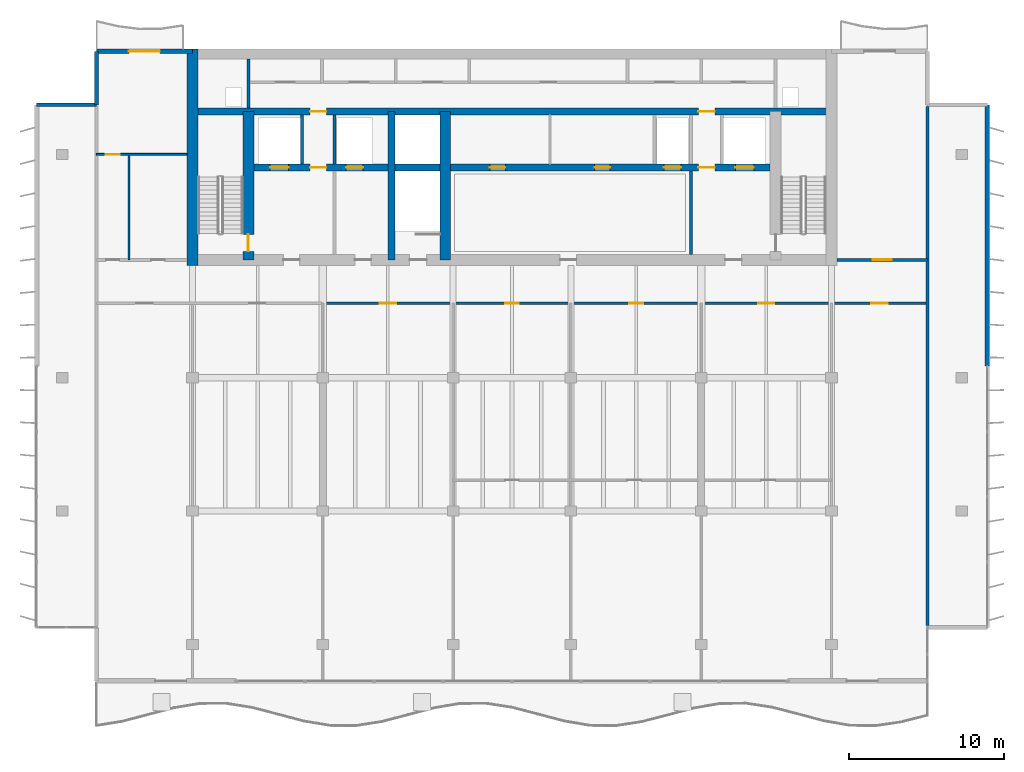
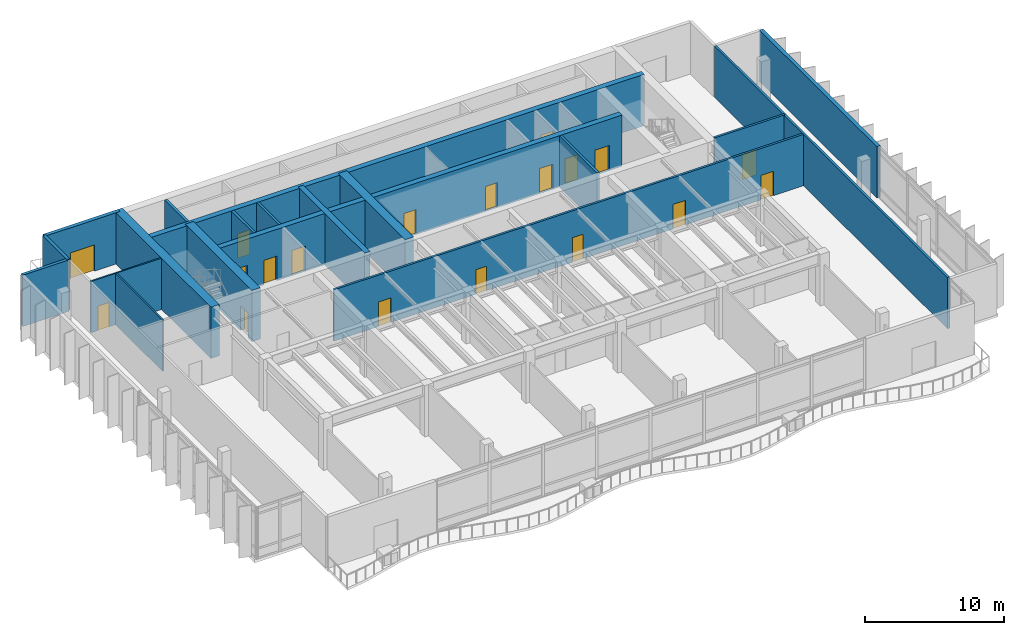
# One storey, part 7 of 14: 19 doors, 19 walls, 19 openings.
"""IFC4 building model written with IfcOpenShell, lengths in metres."""

from ifc_helpers import new_model, si_unit, direction, frame, frame_2d, origin, place, context, subcontext, project, spatial, rectangle, extrude, material, layer, layer_set, type_object, element, fill, save


model = new_model("IFC4")

# Units and contexts
model_context = context("Model", 3, precision=1e-05, world=origin(), true_north=direction((0.0, 1.0)))
body_context = subcontext(model_context, "Body", "Model", "MODEL_VIEW")
ifc_project = project(units=[si_unit("LENGTHUNIT", "METRE"), si_unit("AREAUNIT", "SQUARE_METRE"), si_unit("VOLUMEUNIT", "CUBIC_METRE"), si_unit("PLANEANGLEUNIT", "RADIAN"), si_unit("MASSUNIT", "GRAM", prefix="KILO")], contexts=[model_context])

# Site, building, storey
site_placement = place(None, origin())
site = spatial("IfcSite", under=ifc_project, at=site_placement, CompositionType="ELEMENT")
building_placement = place(site_placement, origin())
building = spatial("IfcBuilding", under=site, at=building_placement, Name="Caelmar Bay Residences", CompositionType="ELEMENT")
storey_placement = place(building_placement, frame((0.0, 0.0, 269.39990234375)))
storey = spatial("IfcBuildingStorey", under=building, at=storey_placement, Name="L76", CompositionType="ELEMENT", Elevation=269.39990234375)

# Wall
ifc_material_1 = material(Name="Concrete f'c 55 MPa (8,000 psi)", Category="concrete")
ifc_layer_1 = layer(ifc_material_1, 0.699951171875)
ifc_layer_set_1 = layer_set([ifc_layer_1], Name="Concrete f'c 55 MPa (8,000 psi)")
wall_type_1 = type_object("IfcWallType", Name="SW-COR-700", PredefinedType="SHEAR", material=ifc_layer_set_1)
wall_1_placement = place(storey_placement, frame((18.300048828125, 36.64990234375, 0.0), z_axis=(0.0, 0.0, 1.0), x_axis=(0.0, 1.0, 0.0)))
element("IfcWall", 1, at=wall_1_placement, inside=storey, type_object=wall_type_1, Name="L76 Rear Core West Shear Wall", PredefinedType="SHEAR", context=body_context, shape_type="SweptSolid", body=[
    extrude(rectangle(XDim=13.9501953125, YDim=0.699951171875, at=frame_2d((6.97509765625, 0.0))), origin(), (0.0, 0.0, 1.0), 4.5),
])

# Wall, opening, door
wall_2_placement = place(storey_placement, frame((21.89990234375, 37.0, 0.0), z_axis=(0.0, 0.0, 1.0), x_axis=(0.0, 1.0, 0.0)))
wall_2 = element("IfcWall", 2, at=wall_2_placement, inside=storey, type_object=wall_type_1, Name="L76 Core Structural Web Wall ST1E", PredefinedType="SHEAR", context=body_context, shape_type="SweptSolid", body=[
    extrude(rectangle(XDim=9.574951171875, YDim=0.699951171875, at=frame_2d((4.78759765625, 0.0))), origin(), (0.0, 0.0, 1.0), 4.5),
])
opening_1_placement = place(wall_2_placement, frame((0.550048828125, 0.0, 0.0)))
opening_1 = element("IfcOpeningElement", 3, at=opening_1_placement, cuts=wall_2, Name="Opening D-L76-107", PredefinedType="OPENING", context=body_context, shape_type="SweptSolid", body=[
    extrude(rectangle(XDim=1.10009765625, YDim=2.14990234375, at=frame_2d((0.550048828125, 1.074951171875))), frame((0.0, 0.35986328125, 0.0), z_axis=(0.0, -1.0, 0.0), x_axis=(1.0, 0.0, 0.0)), (0.0, 0.0, 1.0), 0.719970703125),
])
ifc_material_2 = material(Name="Fire-rated steel and walnut architectural door assembly", Category="steel")
ifc_layer_2 = layer(ifc_material_2, 0.050048828125)
ifc_layer_set_2 = layer_set([ifc_layer_2], Name="Fire-rated steel and walnut architectural door assembly")
door_type_1 = type_object("IfcDoorType", Name="D-STAIR-1100", OperationType="NOTDEFINED", PredefinedType="DOOR", material=ifc_layer_set_2)
door_1_placement = place(opening_1_placement, origin())
door_1 = element("IfcDoor", 4, at=door_1_placement, inside=storey, type_object=door_type_1, Name="L76 Firefighting Lobby West Door", OperationType="SINGLE_SWING_LEFT", OverallHeight=2.14990234375, OverallWidth=1.10009765625, PredefinedType="DOOR", context=body_context, shape_type="SweptSolid", body=[
    extrude(rectangle(XDim=1.10009765625, YDim=2.14990234375, at=frame_2d((0.550048828125, 1.074951171875))), frame((0.0, 0.02490234375, 0.0), z_axis=(0.0, -1.0, 0.0), x_axis=(1.0, 0.0, 0.0)), (0.0, 0.0, 1.0), 0.050048828125),
])
fill(opening_1, door_1)

# Walls
wall_3_placement = place(storey_placement, frame((34.60009765625, 37.0, 0.0), z_axis=(0.0, 0.0, 1.0), x_axis=(0.0, 1.0, 0.0)))
element("IfcWall", 5, at=wall_3_placement, inside=storey, type_object=wall_type_1, Name="L76 Core Structural Web Wall ST3E", PredefinedType="SHEAR", context=body_context, shape_type="SweptSolid", body=[
    extrude(rectangle(XDim=9.574951171875, YDim=0.699951171875, at=frame_2d((4.78759765625, 0.0))), origin(), (0.0, 0.0, 1.0), 4.5),
])
ifc_material_3 = material(Name="Concrete f'c 70 MPa (10,000 psi)", Category="concrete")
ifc_layer_3 = layer(ifc_material_3, 0.449951171875)
ifc_layer_set_3 = layer_set([ifc_layer_3], Name="Concrete f'c 70 MPa (10,000 psi)")
wall_type_2 = type_object("IfcWallType", Name="SW-WEB-450", PredefinedType="SHEAR", material=ifc_layer_set_3)
wall_4_placement = place(storey_placement, frame((31.125, 37.0, 0.0), z_axis=(0.0, 0.0, 1.0), x_axis=(0.0, 1.0, 0.0)))
element("IfcWall", 6, at=wall_4_placement, inside=storey, type_object=wall_type_2, Name="L76 Core Structural Web Wall ST3W", PredefinedType="SHEAR", context=body_context, shape_type="SweptSolid", body=[
    extrude(rectangle(XDim=9.574951171875, YDim=0.449951171875, at=frame_2d((4.78759765625, 0.0))), origin(), (0.0, 0.0, 1.0), 4.5),
])

# Wall, openings, doors
wall_5_placement = place(storey_placement, frame((22.25, 42.949951171875, 0.0), z_axis=(0.0, 0.0, 1.0), x_axis=(1.0, 0.0, 0.0)))
wall_5 = element("IfcWall", 7, at=wall_5_placement, inside=storey, type_object=wall_type_2, Name="L76 Core Structural Web Wall LFR", PredefinedType="SHEAR", context=body_context, shape_type="SweptSolid", body=[
    extrude(rectangle(XDim=33.300048828125, YDim=0.449951171875, at=frame_2d((16.64990234375, 0.0))), origin(), (0.0, 0.0, 1.0), 4.5),
])
opening_2_placement = place(wall_5_placement, frame((1.050048828125, 0.0, 0.0)))
opening_2 = element("IfcOpeningElement", 8, at=opening_2_placement, cuts=wall_5, Name="Opening LD2", PredefinedType="OPENING", context=body_context, shape_type="SweptSolid", body=[
    extrude(rectangle(XDim=1.199951171875, YDim=2.199951171875, at=frame_2d((0.60009765625, 1.10009765625))), frame((0.0, 0.23486328125, 0.0), z_axis=(0.0, -1.0, 0.0), x_axis=(1.0, 0.0, 0.0)), (0.0, 0.0, 1.0), 0.469970703125),
])
opening_3_placement = place(wall_5_placement, frame((31.050048828125, 0.0, 0.0)))
opening_3 = element("IfcOpeningElement", 9, at=opening_3_placement, cuts=wall_5, Name="Opening LD2", PredefinedType="OPENING", context=body_context, shape_type="SweptSolid", body=[
    extrude(rectangle(XDim=1.199951171875, YDim=2.199951171875, at=frame_2d((0.60009765625, 1.10009765625))), frame((0.0, 0.23486328125, 0.0), z_axis=(0.0, -1.0, 0.0), x_axis=(1.0, 0.0, 0.0)), (0.0, 0.0, 1.0), 0.469970703125),
])
opening_4_placement = place(wall_5_placement, frame((26.449951171875, 0.0, 0.0)))
opening_4 = element("IfcOpeningElement", 10, at=opening_4_placement, cuts=wall_5, Name="Opening LD1", PredefinedType="OPENING", context=body_context, shape_type="SweptSolid", body=[
    extrude(rectangle(XDim=1.10009765625, YDim=2.199951171875, at=frame_2d((0.550048828125, 1.10009765625))), frame((0.0, 0.23486328125, 0.0), z_axis=(0.0, -1.0, 0.0), x_axis=(1.0, 0.0, 0.0)), (0.0, 0.0, 1.0), 0.469970703125),
])
opening_5_placement = place(wall_5_placement, frame((5.949951171875, 0.0, 0.0)))
opening_5 = element("IfcOpeningElement", 11, at=opening_5_placement, cuts=wall_5, Name="Opening LD1", PredefinedType="OPENING", context=body_context, shape_type="SweptSolid", body=[
    extrude(rectangle(XDim=1.10009765625, YDim=2.199951171875, at=frame_2d((0.550048828125, 1.10009765625))), frame((0.0, 0.23486328125, 0.0), z_axis=(0.0, -1.0, 0.0), x_axis=(1.0, 0.0, 0.0)), (0.0, 0.0, 1.0), 0.469970703125),
])
opening_6_placement = place(wall_5_placement, frame((3.625, 0.0, 0.0)))
opening_6 = element("IfcOpeningElement", 12, at=opening_6_placement, cuts=wall_5, Name="Opening D-L76-108", PredefinedType="OPENING", context=body_context, shape_type="SweptSolid", body=[
    extrude(rectangle(XDim=1.050048828125, YDim=2.14990234375, at=frame_2d((0.52490234375, 1.074951171875))), frame((0.0, 0.23486328125, 0.0), z_axis=(0.0, -1.0, 0.0), x_axis=(1.0, 0.0, 0.0)), (0.0, 0.0, 1.0), 0.469970703125),
])
opening_7_placement = place(wall_5_placement, frame((28.675048828125, 0.0, 0.0)))
opening_7 = element("IfcOpeningElement", 13, at=opening_7_placement, cuts=wall_5, Name="Opening D-L76-111", PredefinedType="OPENING", context=body_context, shape_type="SweptSolid", body=[
    extrude(rectangle(XDim=1.050048828125, YDim=2.14990234375, at=frame_2d((0.52490234375, 1.074951171875))), frame((0.0, 0.23486328125, 0.0), z_axis=(0.0, -1.0, 0.0), x_axis=(1.0, 0.0, 0.0)), (0.0, 0.0, 1.0), 0.469970703125),
])
opening_8_placement = place(wall_5_placement, frame((15.22509765625, 0.0, 0.0)))
opening_8 = element("IfcOpeningElement", 14, at=opening_8_placement, cuts=wall_5, Name="Opening D-L76-114", PredefinedType="OPENING", context=body_context, shape_type="SweptSolid", body=[
    extrude(rectangle(XDim=1.0, YDim=2.199951171875, at=frame_2d((0.5, 1.10009765625))), frame((0.0, 0.23486328125, 0.0), z_axis=(0.0, -1.0, 0.0), x_axis=(1.0, 0.0, 0.0)), (0.0, 0.0, 1.0), 0.469970703125),
])
opening_9_placement = place(wall_5_placement, frame((21.97509765625, 0.0, 0.0)))
opening_9 = element("IfcOpeningElement", 15, at=opening_9_placement, cuts=wall_5, Name="Opening D-L76-115", PredefinedType="OPENING", context=body_context, shape_type="SweptSolid", body=[
    extrude(rectangle(XDim=1.0, YDim=2.199951171875, at=frame_2d((0.5, 1.10009765625))), frame((0.0, 0.23486328125, 0.0), z_axis=(0.0, -1.0, 0.0), x_axis=(1.0, 0.0, 0.0)), (0.0, 0.0, 1.0), 0.469970703125),
])
ifc_layer_4 = layer(ifc_material_2, 0.050048828125)
ifc_layer_set_4 = layer_set([ifc_layer_4], Name="Fire-rated steel and walnut architectural door assembly")
door_type_2 = type_object("IfcDoorType", Name="D-FSAE-1050", OperationType="NOTDEFINED", PredefinedType="DOOR", material=ifc_layer_set_4)
door_2_placement = place(opening_6_placement, origin())
door_2 = element("IfcDoor", 16, at=door_2_placement, inside=storey, type_object=door_type_2, Name="L76 Firefighting Lobby West Door", OperationType="SINGLE_SWING_RIGHT", OverallHeight=2.14990234375, OverallWidth=1.050048828125, PredefinedType="DOOR", context=body_context, shape_type="SweptSolid", body=[
    extrude(rectangle(XDim=1.050048828125, YDim=2.14990234375, at=frame_2d((0.52490234375, 1.074951171875))), frame((0.0, 0.02490234375, 0.0), z_axis=(0.0, -1.0, 0.0), x_axis=(1.0, 0.0, 0.0)), (0.0, 0.0, 1.0), 0.050048828125),
])
fill(opening_6, door_2)
door_3_placement = place(opening_7_placement, origin())
door_3 = element("IfcDoor", 17, at=door_3_placement, inside=storey, type_object=door_type_2, Name="L76 Firefighting Lobby East Door", OperationType="SINGLE_SWING_LEFT", OverallHeight=2.14990234375, OverallWidth=1.050048828125, PredefinedType="DOOR", context=body_context, shape_type="SweptSolid", body=[
    extrude(rectangle(XDim=1.050048828125, YDim=2.14990234375, at=frame_2d((0.52490234375, 1.074951171875))), frame((0.0, 0.02490234375, 0.0), z_axis=(0.0, -1.0, 0.0), x_axis=(1.0, 0.0, 0.0)), (0.0, 0.0, 1.0), 0.050048828125),
])
fill(opening_7, door_3)
ifc_material_4 = material(Name="Brushed bronze stainless-steel fire-rated lift landing doors", Category="steel")
ifc_layer_5 = layer(ifc_material_4, 0.050048828125)
ifc_layer_set_5 = layer_set([ifc_layer_5], Name="Brushed bronze stainless-steel fire-rated lift landing doors")
door_type_3 = type_object("IfcDoorType", Name="D-LND-1100", OperationType="DOUBLE_DOOR_SLIDING", PredefinedType="DOOR", material=ifc_layer_set_5)
door_4_placement = place(opening_4_placement, origin())
door_4 = element("IfcDoor", 18, at=door_4_placement, inside=storey, type_object=door_type_3, Name="L76 LP6 Sliding Landing Door", OperationType="DOUBLE_DOOR_SLIDING", OverallHeight=2.199951171875, OverallWidth=1.10009765625, PredefinedType="DOOR", context=body_context, shape_type="SweptSolid", body=[
    extrude(rectangle(XDim=1.10009765625, YDim=2.199951171875, at=frame_2d((0.550048828125, 1.10009765625))), frame((0.0, 0.02490234375, 0.0), z_axis=(0.0, -1.0, 0.0), x_axis=(1.0, 0.0, 0.0)), (0.0, 0.0, 1.0), 0.050048828125),
])
fill(opening_4, door_4)
door_5_placement = place(opening_5_placement, origin())
door_5 = element("IfcDoor", 19, at=door_5_placement, inside=storey, type_object=door_type_3, Name="L76 LP7 Sliding Landing Door", OperationType="DOUBLE_DOOR_SLIDING", OverallHeight=2.199951171875, OverallWidth=1.10009765625, PredefinedType="DOOR", context=body_context, shape_type="SweptSolid", body=[
    extrude(rectangle(XDim=1.10009765625, YDim=2.199951171875, at=frame_2d((0.550048828125, 1.10009765625))), frame((0.0, 0.02490234375, 0.0), z_axis=(0.0, -1.0, 0.0), x_axis=(1.0, 0.0, 0.0)), (0.0, 0.0, 1.0), 0.050048828125),
])
fill(opening_5, door_5)
ifc_material_5 = material(Name="Brushed stainless-steel FSAE sliding landing door", Category="steel")
ifc_layer_6 = layer(ifc_material_5, 0.050048828125)
ifc_layer_set_6 = layer_set([ifc_layer_6], Name="Brushed stainless-steel FSAE sliding landing door")
door_type_4 = type_object("IfcDoorType", Name="D-LND-1200", OperationType="DOUBLE_DOOR_SLIDING", PredefinedType="DOOR", material=ifc_layer_set_6)
door_6_placement = place(opening_2_placement, origin())
door_6 = element("IfcDoor", 20, at=door_6_placement, inside=storey, type_object=door_type_4, Name="L76 LF1 Sliding Landing Door", OperationType="DOUBLE_DOOR_SLIDING", OverallHeight=2.199951171875, OverallWidth=1.199951171875, PredefinedType="DOOR", context=body_context, shape_type="SweptSolid", body=[
    extrude(rectangle(XDim=1.199951171875, YDim=2.199951171875, at=frame_2d((0.60009765625, 1.10009765625))), frame((0.0, 0.02490234375, 0.0), z_axis=(0.0, -1.0, 0.0), x_axis=(1.0, 0.0, 0.0)), (0.0, 0.0, 1.0), 0.050048828125),
])
fill(opening_2, door_6)
door_7_placement = place(opening_3_placement, origin())
door_7 = element("IfcDoor", 21, at=door_7_placement, inside=storey, type_object=door_type_4, Name="L76 LF2 Sliding Landing Door", OperationType="DOUBLE_DOOR_SLIDING", OverallHeight=2.199951171875, OverallWidth=1.199951171875, PredefinedType="DOOR", context=body_context, shape_type="SweptSolid", body=[
    extrude(rectangle(XDim=1.199951171875, YDim=2.199951171875, at=frame_2d((0.60009765625, 1.10009765625))), frame((0.0, 0.02490234375, 0.0), z_axis=(0.0, -1.0, 0.0), x_axis=(1.0, 0.0, 0.0)), (0.0, 0.0, 1.0), 0.050048828125),
])
fill(opening_3, door_7)
ifc_layer_7 = layer(ifc_material_2, 0.050048828125)
ifc_layer_set_7 = layer_set([ifc_layer_7], Name="Fire-rated steel and walnut architectural door assembly")
door_type_5 = type_object("IfcDoorType", Name="D-UNIT-1000", OperationType="NOTDEFINED", PredefinedType="DOOR", material=ifc_layer_set_7)
door_8_placement = place(opening_8_placement, origin())
door_8 = element("IfcDoor", 22, at=door_8_placement, inside=storey, type_object=door_type_5, Name="L76 Music Study Room Door", OperationType="SINGLE_SWING_RIGHT", OverallHeight=2.199951171875, OverallWidth=1.0, PredefinedType="DOOR", context=body_context, shape_type="SweptSolid", body=[
    extrude(rectangle(XDim=1.0, YDim=2.199951171875, at=frame_2d((0.5, 1.10009765625))), frame((0.0, 0.02490234375, 0.0), z_axis=(0.0, -1.0, 0.0), x_axis=(1.0, 0.0, 0.0)), (0.0, 0.0, 1.0), 0.050048828125),
])
fill(opening_8, door_8)
door_9_placement = place(opening_9_placement, origin())
door_9 = element("IfcDoor", 23, at=door_9_placement, inside=storey, type_object=door_type_5, Name="L76 Board Meeting Room Door", OperationType="SINGLE_SWING_LEFT", OverallHeight=2.199951171875, OverallWidth=1.0, PredefinedType="DOOR", context=body_context, shape_type="SweptSolid", body=[
    extrude(rectangle(XDim=1.0, YDim=2.199951171875, at=frame_2d((0.5, 1.10009765625))), frame((0.0, 0.02490234375, 0.0), z_axis=(0.0, -1.0, 0.0), x_axis=(1.0, 0.0, 0.0)), (0.0, 0.0, 1.0), 0.050048828125),
])
fill(opening_9, door_9)

wall_6_placement = place(storey_placement, frame((18.300048828125, 46.574951171875, 0.0), z_axis=(0.0, 0.0, 1.0), x_axis=(1.0, 0.0, 0.0)))
wall_6 = element("IfcWall", 24, at=wall_6_placement, inside=storey, type_object=wall_type_2, Name="L76 Core Structural Web Wall SRVS", PredefinedType="SHEAR", context=body_context, shape_type="SweptSolid", body=[
    extrude(rectangle(XDim=41.199951171875, YDim=0.449951171875, at=frame_2d((20.60009765625, 0.0))), origin(), (0.0, 0.0, 1.0), 4.5),
])
opening_10_placement = place(wall_6_placement, frame((7.574951171875, 0.0, 0.0)))
opening_10 = element("IfcOpeningElement", 25, at=opening_10_placement, cuts=wall_6, Name="Opening D-L76-116", PredefinedType="OPENING", context=body_context, shape_type="SweptSolid", body=[
    extrude(rectangle(XDim=1.050048828125, YDim=2.14990234375, at=frame_2d((0.52490234375, 1.074951171875))), frame((0.0, 0.23486328125, 0.0), z_axis=(0.0, -1.0, 0.0), x_axis=(1.0, 0.0, 0.0)), (0.0, 0.0, 1.0), 0.469970703125),
])
opening_11_placement = place(wall_6_placement, frame((32.625, 0.0, 0.0)))
opening_11 = element("IfcOpeningElement", 26, at=opening_11_placement, cuts=wall_6, Name="Opening D-L76-117", PredefinedType="OPENING", context=body_context, shape_type="SweptSolid", body=[
    extrude(rectangle(XDim=1.050048828125, YDim=2.14990234375, at=frame_2d((0.52490234375, 1.074951171875))), frame((0.0, 0.23486328125, 0.0), z_axis=(0.0, -1.0, 0.0), x_axis=(1.0, 0.0, 0.0)), (0.0, 0.0, 1.0), 0.469970703125),
])
door_10_placement = place(opening_10_placement, origin())
door_10 = element("IfcDoor", 27, at=door_10_placement, inside=storey, type_object=door_type_2, Name="L76 Core Service Corridor Door", OperationType="SINGLE_SWING_RIGHT", OverallHeight=2.14990234375, OverallWidth=1.050048828125, PredefinedType="DOOR", context=body_context, shape_type="SweptSolid", body=[
    extrude(rectangle(XDim=1.050048828125, YDim=2.14990234375, at=frame_2d((0.52490234375, 1.074951171875))), frame((0.0, 0.02490234375, 0.0), z_axis=(0.0, -1.0, 0.0), x_axis=(1.0, 0.0, 0.0)), (0.0, 0.0, 1.0), 0.050048828125),
])
fill(opening_10, door_10)
door_11_placement = place(opening_11_placement, origin())
door_11 = element("IfcDoor", 28, at=door_11_placement, inside=storey, type_object=door_type_2, Name="L76 Core Service Corridor Door", OperationType="SINGLE_SWING_LEFT", OverallHeight=2.14990234375, OverallWidth=1.050048828125, PredefinedType="DOOR", context=body_context, shape_type="SweptSolid", body=[
    extrude(rectangle(XDim=1.050048828125, YDim=2.14990234375, at=frame_2d((0.52490234375, 1.074951171875))), frame((0.0, 0.02490234375, 0.0), z_axis=(0.0, -1.0, 0.0), x_axis=(1.0, 0.0, 0.0)), (0.0, 0.0, 1.0), 0.050048828125),
])
fill(opening_11, door_11)

# Wall
ifc_material_6 = material(Name="Double-stud acoustic fire-rated gypsum partition 180 mm")
ifc_layer_8 = layer(ifc_material_6, 0.179931640625)
ifc_layer_set_8 = layer_set([ifc_layer_8], Name="Double-stud acoustic fire-rated gypsum partition 180 mm")
wall_type_3 = type_object("IfcWallType", Name="W-COR-200", PredefinedType="PARTITIONING", material=ifc_layer_set_8)
wall_7_placement = place(storey_placement, frame((65.699951171875, 13.419921875, 0.0), z_axis=(0.0, 0.0, 1.0), x_axis=(0.0, 1.0, 0.0)))
element("IfcWall", 29, at=wall_7_placement, inside=storey, type_object=wall_type_3, Name="L76 Partition Wall V026", PredefinedType="PARTITIONING", context=body_context, shape_type="SweptSolid", body=[
    extrude(rectangle(XDim=33.4599609375, YDim=0.179931640625, at=frame_2d((16.72998046875, 0.0))), origin(), (0.0, 0.0, 1.0), 4.5),
])

# Wall, openings, doors
wall_8_placement = place(storey_placement, frame((26.699951171875, 34.199951171875, 0.0), z_axis=(0.0, 0.0, 1.0), x_axis=(1.0, 0.0, 0.0)))
wall_8 = element("IfcWall", 30, at=wall_8_placement, inside=storey, type_object=wall_type_3, Name="L76 Partition Wall H030", PredefinedType="PARTITIONING", context=body_context, shape_type="SweptSolid", body=[
    extrude(rectangle(XDim=39.0, YDim=0.179931640625, at=frame_2d((19.5, 0.0))), origin(), (0.0, 0.0, 1.0), 4.5),
])
opening_12_placement = place(wall_8_placement, frame((28.074951171875, 0.0, 0.0)))
opening_12 = element("IfcOpeningElement", 31, at=opening_12_placement, cuts=wall_8, Name="Opening D-L76-124", PredefinedType="OPENING", context=body_context, shape_type="SweptSolid", body=[
    extrude(rectangle(XDim=1.050048828125, YDim=2.14990234375, at=frame_2d((0.52490234375, 1.074951171875))), frame((0.0, 0.099853515625, 0.0), z_axis=(0.0, -1.0, 0.0), x_axis=(1.0, 0.0, 0.0)), (0.0, 0.0, 1.0), 0.199951171875),
])
opening_13_placement = place(wall_8_placement, frame((35.375, 0.0, 0.0)))
opening_13 = element("IfcOpeningElement", 32, at=opening_13_placement, cuts=wall_8, Name="Opening D-L76-125", PredefinedType="OPENING", context=body_context, shape_type="SweptSolid", body=[
    extrude(rectangle(XDim=1.050048828125, YDim=2.14990234375, at=frame_2d((0.52490234375, 1.074951171875))), frame((0.0, 0.099853515625, 0.0), z_axis=(0.0, -1.0, 0.0), x_axis=(1.0, 0.0, 0.0)), (0.0, 0.0, 1.0), 0.199951171875),
])
opening_14_placement = place(wall_8_placement, frame((3.675048828125, 0.0, 0.0)))
opening_14 = element("IfcOpeningElement", 33, at=opening_14_placement, cuts=wall_8, Name="Opening D-L76-129", PredefinedType="OPENING", context=body_context, shape_type="SweptSolid", body=[
    extrude(rectangle(XDim=1.050048828125, YDim=2.14990234375, at=frame_2d((0.52490234375, 1.074951171875))), frame((0.0, 0.099853515625, 0.0), z_axis=(0.0, -1.0, 0.0), x_axis=(1.0, 0.0, 0.0)), (0.0, 0.0, 1.0), 0.199951171875),
])
opening_15_placement = place(wall_8_placement, frame((11.75, 0.0, 0.0)))
opening_15 = element("IfcOpeningElement", 34, at=opening_15_placement, cuts=wall_8, Name="Opening D-L76-130", PredefinedType="OPENING", context=body_context, shape_type="SweptSolid", body=[
    extrude(rectangle(XDim=0.89990234375, YDim=2.14990234375, at=frame_2d((0.449951171875, 1.074951171875))), frame((0.0, 0.099853515625, 0.0), z_axis=(0.0, -1.0, 0.0), x_axis=(1.0, 0.0, 0.0)), (0.0, 0.0, 1.0), 0.199951171875),
])
opening_16_placement = place(wall_8_placement, frame((19.75, 0.0, 0.0)))
opening_16 = element("IfcOpeningElement", 35, at=opening_16_placement, cuts=wall_8, Name="Opening D-L76-131", PredefinedType="OPENING", context=body_context, shape_type="SweptSolid", body=[
    extrude(rectangle(XDim=0.89990234375, YDim=2.14990234375, at=frame_2d((0.449951171875, 1.074951171875))), frame((0.0, 0.099853515625, 0.0), z_axis=(0.0, -1.0, 0.0), x_axis=(1.0, 0.0, 0.0)), (0.0, 0.0, 1.0), 0.199951171875),
])
door_12_placement = place(opening_12_placement, origin())
door_12 = element("IfcDoor", 36, at=door_12_placement, inside=storey, type_object=door_type_2, Name="L76 Sky Salon Fitness Studio Door", OperationType="SINGLE_SWING_RIGHT", OverallHeight=2.14990234375, OverallWidth=1.050048828125, PredefinedType="DOOR", context=body_context, shape_type="SweptSolid", body=[
    extrude(rectangle(XDim=1.050048828125, YDim=2.14990234375, at=frame_2d((0.52490234375, 1.074951171875))), frame((0.0, 0.02490234375, 0.0), z_axis=(0.0, -1.0, 0.0), x_axis=(1.0, 0.0, 0.0)), (0.0, 0.0, 1.0), 0.050048828125),
])
fill(opening_12, door_12)
door_13_placement = place(opening_13_placement, origin())
door_13 = element("IfcDoor", 37, at=door_13_placement, inside=storey, type_object=door_type_2, Name="L76 Sky Salon Wellness Studio Door", OperationType="SINGLE_SWING_LEFT", OverallHeight=2.14990234375, OverallWidth=1.050048828125, PredefinedType="DOOR", context=body_context, shape_type="SweptSolid", body=[
    extrude(rectangle(XDim=1.050048828125, YDim=2.14990234375, at=frame_2d((0.52490234375, 1.074951171875))), frame((0.0, 0.02490234375, 0.0), z_axis=(0.0, -1.0, 0.0), x_axis=(1.0, 0.0, 0.0)), (0.0, 0.0, 1.0), 0.050048828125),
])
fill(opening_13, door_13)
door_14_placement = place(opening_14_placement, origin())
door_14 = element("IfcDoor", 38, at=door_14_placement, inside=storey, type_object=door_type_2, Name="L76 Sky Salon Residents Lounge Door", OperationType="SINGLE_SWING_LEFT", OverallHeight=2.14990234375, OverallWidth=1.050048828125, PredefinedType="DOOR", context=body_context, shape_type="SweptSolid", body=[
    extrude(rectangle(XDim=1.050048828125, YDim=2.14990234375, at=frame_2d((0.52490234375, 1.074951171875))), frame((0.0, 0.02490234375, 0.0), z_axis=(0.0, -1.0, 0.0), x_axis=(1.0, 0.0, 0.0)), (0.0, 0.0, 1.0), 0.050048828125),
])
fill(opening_14, door_14)
ifc_material_7 = material(Name="Solid walnut timber interior door leaf and frame", Category="wood")
ifc_layer_9 = layer(ifc_material_7, 0.050048828125)
ifc_layer_set_9 = layer_set([ifc_layer_9], Name="Solid walnut timber interior door leaf and frame")
door_type_6 = type_object("IfcDoorType", Name="D-ROOM-900", OperationType="NOTDEFINED", PredefinedType="DOOR", material=ifc_layer_set_9)
door_15_placement = place(opening_15_placement, origin())
door_15 = element("IfcDoor", 39, at=door_15_placement, inside=storey, type_object=door_type_6, Name="L76 Sky Salon Tea Pantry Door", OperationType="SINGLE_SWING_RIGHT", OverallHeight=2.14990234375, OverallWidth=0.89990234375, PredefinedType="DOOR", context=body_context, shape_type="SweptSolid", body=[
    extrude(rectangle(XDim=0.89990234375, YDim=2.14990234375, at=frame_2d((0.449951171875, 1.074951171875))), frame((0.0, 0.02490234375, 0.0), z_axis=(0.0, -1.0, 0.0), x_axis=(1.0, 0.0, 0.0)), (0.0, 0.0, 1.0), 0.050048828125),
])
fill(opening_15, door_15)
door_16_placement = place(opening_16_placement, origin())
door_16 = element("IfcDoor", 40, at=door_16_placement, inside=storey, type_object=door_type_6, Name="L76 Sky Salon Service Kitchen Door", OperationType="SINGLE_SWING_LEFT", OverallHeight=2.14990234375, OverallWidth=0.89990234375, PredefinedType="DOOR", context=body_context, shape_type="SweptSolid", body=[
    extrude(rectangle(XDim=0.89990234375, YDim=2.14990234375, at=frame_2d((0.449951171875, 1.074951171875))), frame((0.0, 0.02490234375, 0.0), z_axis=(0.0, -1.0, 0.0), x_axis=(1.0, 0.0, 0.0)), (0.0, 0.0, 1.0), 0.050048828125),
])
fill(opening_16, door_16)

# Wall, opening, door
wall_9_placement = place(storey_placement, frame((59.85498046875, 37.0, 0.0), z_axis=(0.0, 0.0, 1.0), x_axis=(1.0, 0.0, 0.0)))
wall_9 = element("IfcWall", 41, at=wall_9_placement, inside=storey, type_object=wall_type_3, Name="L76 Partition Wall H032", PredefinedType="PARTITIONING", context=body_context, shape_type="SweptSolid", body=[
    extrude(rectangle(XDim=5.844970703125, YDim=0.179931640625, at=frame_2d((2.92236328125, 0.0))), origin(), (0.0, 0.0, 1.0), 4.5),
])
opening_17_placement = place(wall_9_placement, frame((2.322509765625, 0.0, 0.0)))
opening_17 = element("IfcOpeningElement", 42, at=opening_17_placement, cuts=wall_9, Name="Opening D-L76-134", PredefinedType="OPENING", context=body_context, shape_type="SweptSolid", body=[
    extrude(rectangle(XDim=1.199951171875, YDim=2.199951171875, at=frame_2d((0.60009765625, 1.10009765625))), frame((0.0, 0.099853515625, 0.0), z_axis=(0.0, -1.0, 0.0), x_axis=(1.0, 0.0, 0.0)), (0.0, 0.0, 1.0), 0.199951171875),
])
ifc_layer_10 = layer(ifc_material_2, 0.050048828125)
ifc_layer_set_10 = layer_set([ifc_layer_10], Name="Fire-rated steel and walnut architectural door assembly")
door_type_7 = type_object("IfcDoorType", Name="D-PLANT-1200", OperationType="NOTDEFINED", PredefinedType="DOOR", material=ifc_layer_set_10)
door_17_placement = place(opening_17_placement, origin())
door_17 = element("IfcDoor", 43, at=door_17_placement, inside=storey, type_object=door_type_7, Name="L76 Sky Salon Fan Plant Room Door", OperationType="SINGLE_SWING_RIGHT", OverallHeight=2.199951171875, OverallWidth=1.199951171875, PredefinedType="DOOR", context=body_context, shape_type="SweptSolid", body=[
    extrude(rectangle(XDim=1.199951171875, YDim=2.199951171875, at=frame_2d((0.60009765625, 1.10009765625))), frame((0.0, 0.02490234375, 0.0), z_axis=(0.0, -1.0, 0.0), x_axis=(1.0, 0.0, 0.0)), (0.0, 0.0, 1.0), 0.050048828125),
])
fill(opening_17, door_17)

# Walls
ifc_material_8 = material(Name="Precast concrete f'c 40 MPa (6,000 psi)", Category="concrete")
ifc_layer_11 = layer(ifc_material_8, 0.25)
ifc_layer_set_11 = layer_set([ifc_layer_11], Name="Precast concrete f'c 40 MPa (6,000 psi)")
wall_type_4 = type_object("IfcWallType", Name="W-EXT-250", PredefinedType="ELEMENTEDWALL", material=ifc_layer_set_11)
wall_10_placement = place(storey_placement, frame((8.25, 47.0, 0.0), z_axis=(0.0, 0.0, 1.0), x_axis=(1.0, 0.0, 0.0)))
element("IfcWall", 44, at=wall_10_placement, inside=storey, type_object=wall_type_4, Name="L76 NNW-H Notch Wall", PredefinedType="ELEMENTEDWALL", context=body_context, shape_type="SweptSolid", body=[
    extrude(rectangle(XDim=3.85009765625, YDim=0.25, at=frame_2d((1.925048828125, 0.0))), origin(), (0.0, 0.0, 1.0), 4.5),
])
wall_11_placement = place(storey_placement, frame((12.10009765625, 47.0, 0.0), z_axis=(0.0, 0.0, 1.0), x_axis=(0.0, 1.0, 0.0)))
element("IfcWall", 45, at=wall_11_placement, inside=storey, type_object=wall_type_4, Name="L76 NNW-V Notch Wall", PredefinedType="ELEMENTEDWALL", context=body_context, shape_type="SweptSolid", body=[
    extrude(rectangle(XDim=3.449951171875, YDim=0.25, at=frame_2d((1.72509765625, 0.0))), origin(), (0.0, 0.0, 1.0), 4.5),
])
ifc_layer_12 = layer(ifc_material_8, 0.300048828125)
ifc_layer_set_12 = layer_set([ifc_layer_12], Name="Precast concrete f'c 40 MPa (6,000 psi)")
wall_type_5 = type_object("IfcWallType", Name="W-EXT-300", PredefinedType="STANDARD", material=ifc_layer_set_12)
wall_12_placement = place(storey_placement, frame((69.550048828125, 47.0, 0.0), z_axis=(0.0, 0.0, 1.0), x_axis=(0.0, -1.0, 0.0)))
element("IfcWall", 46, at=wall_12_placement, inside=storey, type_object=wall_type_5, Name="L76 East Rear Exterior Wall", PredefinedType="STANDARD", context=body_context, shape_type="SweptSolid", body=[
    extrude(rectangle(XDim=16.85009765625, YDim=0.300048828125, at=frame_2d((8.425048828125, 0.0))), origin(), (0.0, 0.0, 1.0), 4.5),
])

# Wall, opening, door
wall_13_placement = place(storey_placement, frame((12.10009765625, 50.449951171875, 0.0), z_axis=(0.0, 0.0, 1.0), x_axis=(1.0, 0.0, 0.0)))
wall_13 = element("IfcWall", 47, at=wall_13_placement, inside=storey, type_object=wall_type_5, Name="L76 North-West Wing Exterior Wall", PredefinedType="STANDARD", context=body_context, shape_type="SweptSolid", body=[
    extrude(rectangle(XDim=6.199951171875, YDim=0.300048828125, at=frame_2d((3.10009765625, 0.0))), origin(), (0.0, 0.0, 1.0), 4.5),
])
opening_18_placement = place(wall_13_placement, frame((2.10009765625, 0.0, 0.0)))
opening_18 = element("IfcOpeningElement", 48, at=opening_18_placement, cuts=wall_13, Name="Opening L76-BDNW", PredefinedType="OPENING", context=body_context, shape_type="SweptSolid", body=[
    extrude(rectangle(XDim=2.0, YDim=2.300048828125, at=frame_2d((1.0, 1.14990234375))), frame((0.0, 0.159912109375, 0.0), z_axis=(0.0, -1.0, 0.0), x_axis=(1.0, 0.0, 0.0)), (0.0, 0.0, 1.0), 0.320068359375),
])
ifc_material_9 = material(Name="Anodised bronze thermally broken sliding glass door", Category="glass")
ifc_layer_13 = layer(ifc_material_9, 0.050048828125)
ifc_layer_set_13 = layer_set([ifc_layer_13], Name="Anodised bronze thermally broken sliding glass door")
door_type_8 = type_object("IfcDoorType", Name="D-BAL-2000", OperationType="DOUBLE_DOOR_SLIDING", PredefinedType="DOOR", material=ifc_layer_set_13)
door_18_placement = place(opening_18_placement, origin())
door_18 = element("IfcDoor", 49, at=door_18_placement, inside=storey, type_object=door_type_8, Name="L76 North-West Balcony Door", OperationType="DOUBLE_DOOR_SLIDING", OverallHeight=2.300048828125, OverallWidth=2.0, PredefinedType="DOOR", context=body_context, shape_type="SweptSolid", body=[
    extrude(rectangle(XDim=2.0, YDim=2.300048828125, at=frame_2d((1.0, 1.14990234375))), frame((0.0, 0.02490234375, 0.0), z_axis=(0.0, -1.0, 0.0), x_axis=(1.0, 0.0, 0.0)), (0.0, 0.0, 1.0), 0.050048828125),
])
fill(opening_18, door_18)

# Walls
ifc_material_10 = material(Name="Fire-rated masonry and gypsum shaftliner assembly 200 mm", Category="masonry")
ifc_layer_14 = layer(ifc_material_10, 0.199951171875)
ifc_layer_set_14 = layer_set([ifc_layer_14], Name="Fire-rated masonry and gypsum shaftliner assembly 200 mm")
wall_type_6 = type_object("IfcWallType", Name="W-FSAE-200", PredefinedType="PARTITIONING", material=ifc_layer_set_14)
wall_14_placement = place(storey_placement, frame((21.89990234375, 46.794921875, 0.0), z_axis=(0.0, 0.0, 1.0), x_axis=(0.0, 1.0, 0.0)))
element("IfcWall", 50, at=wall_14_placement, inside=storey, type_object=wall_type_6, Name="L76 Partition Wall V004", PredefinedType="PARTITIONING", context=body_context, shape_type="SweptSolid", body=[
    extrude(rectangle(XDim=3.16015625, YDim=0.199951171875, at=frame_2d((1.580078125, 0.0))), origin(), (0.0, 0.0, 1.0), 4.5),
])
for number, where, z_axis, x_axis, name in (
    (51, (25.35009765625, 43.169921875, 0.0), (0.0, 0.0, 1.0), (0.0, 1.0, 0.0), "L76 Partition Wall V005"),
    (52, (27.449951171875, 43.169921875, 0.0), (0.0, 0.0, 1.0), (0.0, 1.0, 0.0), "L76 Partition Wall V010"),
):
    element("IfcWall", number, at=place(storey_placement, frame(where, z_axis=z_axis, x_axis=x_axis)), inside=storey, type_object=wall_type_6, Name=name, PredefinedType="PARTITIONING", context=body_context, shape_type="SweptSolid", body=[
        extrude(rectangle(XDim=3.18505859375, YDim=0.199951171875, at=frame_2d((1.592529296875, 0.0))), origin(), (0.0, 0.0, 1.0), 4.5),
    ])
wall_15_placement = place(storey_placement, frame((50.449951171875, 37.344970703125, 0.0), z_axis=(0.0, 0.0, 1.0), x_axis=(0.0, 1.0, 0.0)))
element("IfcWall", 53, at=wall_15_placement, inside=storey, type_object=wall_type_6, Name="L76 Partition Wall V018", PredefinedType="PARTITIONING", context=body_context, shape_type="SweptSolid", body=[
    extrude(rectangle(XDim=5.385009765625, YDim=0.199951171875, at=frame_2d((2.6923828125, 0.0))), origin(), (0.0, 0.0, 1.0), 4.5),
])
ifc_material_11 = material(Name="Acoustic metal-stud gypsum partition 120 mm")
ifc_layer_15 = layer(ifc_material_11, 0.1201171875)
ifc_layer_set_15 = layer_set([ifc_layer_15], Name="Acoustic metal-stud gypsum partition 120 mm")
wall_type_7 = type_object("IfcWallType", Name="W-PRT-120", PredefinedType="PARTITIONING", material=ifc_layer_set_15)
wall_16_placement = place(storey_placement, frame((14.199951171875, 37.0, 0.0), z_axis=(0.0, 0.0, 1.0), x_axis=(0.0, 1.0, 0.0)))
element("IfcWall", 54, at=wall_16_placement, inside=storey, type_object=wall_type_7, Name="L76 Partition Wall V002", PredefinedType="PARTITIONING", context=body_context, shape_type="SweptSolid", body=[
    extrude(rectangle(XDim=6.800048828125, YDim=0.1201171875, at=frame_2d((3.39990234375, 0.0))), origin(), (0.0, 0.0, 1.0), 4.5),
])

# Wall, opening, door
wall_17_placement = place(storey_placement, frame((12.10009765625, 43.800048828125, 0.0), z_axis=(0.0, 0.0, 1.0), x_axis=(1.0, 0.0, 0.0)))
wall_17 = element("IfcWall", 55, at=wall_17_placement, inside=storey, type_object=wall_type_7, Name="L76 Partition Wall H033", PredefinedType="PARTITIONING", context=body_context, shape_type="SweptSolid", body=[
    extrude(rectangle(XDim=5.85498046875, YDim=0.1201171875, at=frame_2d((2.927490234375, 0.0))), origin(), (0.0, 0.0, 1.0), 4.5),
])
opening_19_placement = place(wall_17_placement, frame((0.60009765625, 0.0, 0.0)))
opening_19 = element("IfcOpeningElement", 56, at=opening_19_placement, cuts=wall_17, Name="Opening D-L76-137", PredefinedType="OPENING", context=body_context, shape_type="SweptSolid", body=[
    extrude(rectangle(XDim=0.89990234375, YDim=2.14990234375, at=frame_2d((0.449951171875, 1.074951171875))), frame((0.0, 0.070068359375, 0.0), z_axis=(0.0, -1.0, 0.0), x_axis=(1.0, 0.0, 0.0)), (0.0, 0.0, 1.0), 0.14013671875),
])
door_19_placement = place(opening_19_placement, origin())
door_19 = element("IfcDoor", 57, at=door_19_placement, inside=storey, type_object=door_type_6, Name="L76 Sky Salon Chair Storage Door", OperationType="SINGLE_SWING_LEFT", OverallHeight=2.14990234375, OverallWidth=0.89990234375, PredefinedType="DOOR", context=body_context, shape_type="SweptSolid", body=[
    extrude(rectangle(XDim=0.89990234375, YDim=2.14990234375, at=frame_2d((0.449951171875, 1.074951171875))), frame((0.0, 0.02490234375, 0.0), z_axis=(0.0, -1.0, 0.0), x_axis=(1.0, 0.0, 0.0)), (0.0, 0.0, 1.0), 0.050048828125),
])
fill(opening_19, door_19)

save(model, "model.ifc")
